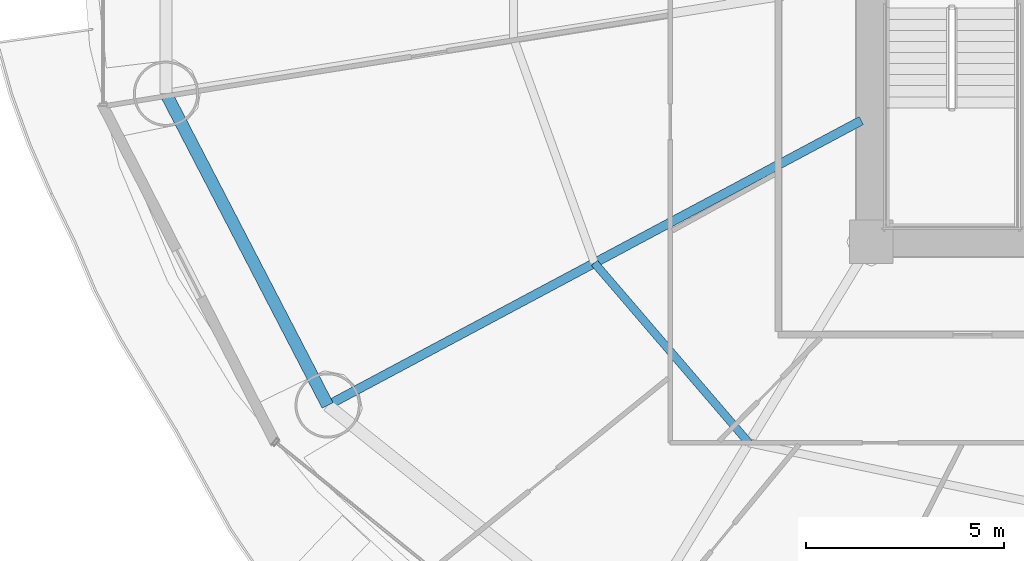
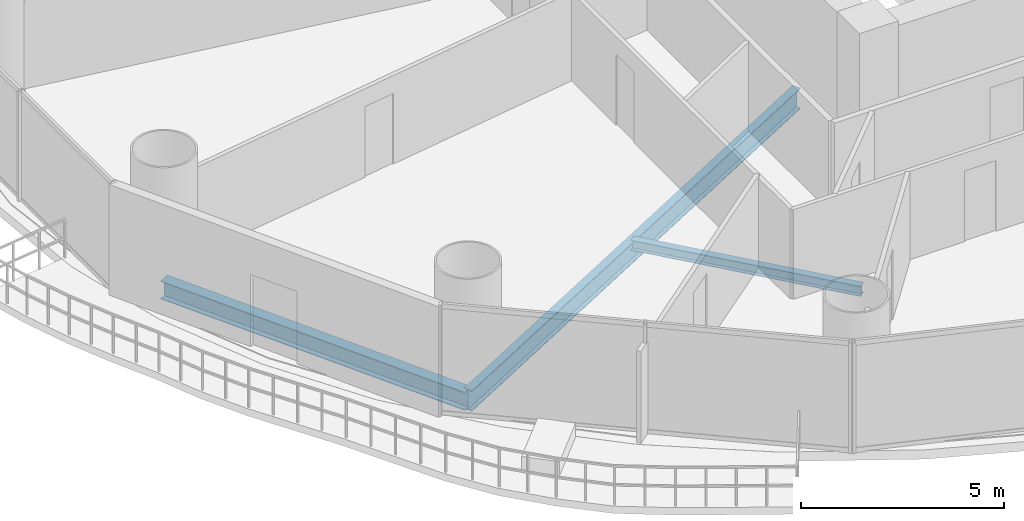
# One storey, part 3 of 30: 3 beams.
"""IFC4 building model written with IfcOpenShell, lengths in metres."""

from ifc_helpers import new_model, si_unit, direction, frame, origin, origin_2d, place, context, subcontext, project, spatial, i_section, extrude, material, material_profile, profile_set, type_object, element, save


model = new_model("IFC4")

# Units and contexts
model_context = context("Model", 3, precision=1e-05, world=origin(), true_north=direction((-0.2419218956, 0.970295726276)))
body_context = subcontext(model_context, "Body", "Model", "MODEL_VIEW")
ifc_project = project(units=[si_unit("LENGTHUNIT", "METRE"), si_unit("AREAUNIT", "SQUARE_METRE"), si_unit("VOLUMEUNIT", "CUBIC_METRE"), si_unit("PLANEANGLEUNIT", "RADIAN"), si_unit("MASSUNIT", "GRAM", prefix="KILO")], contexts=[model_context])

# Site, building, storey
site_placement = place(None, origin())
site = spatial("IfcSite", under=ifc_project, at=site_placement, CompositionType="ELEMENT")
building_placement = place(site_placement, origin())
building = spatial("IfcBuilding", under=site, at=building_placement, Name="Cobrevalo Terracotta Tower", CompositionType="ELEMENT")
storey_placement = place(building_placement, frame((0.0, 0.0, 31.199951171875)))
storey = spatial("IfcBuildingStorey", under=building, at=storey_placement, Name="L07", CompositionType="ELEMENT", Elevation=31.199951171875)

# Beams
ifc_material = material(Name="Steel S355", Category="steel")
ifc_material_profile_1 = material_profile(ifc_material, i_section(OverallWidth=0.22998046875, OverallDepth=0.616943359375, WebThickness=0.01318359375, FlangeThickness=0.022216796875, at=origin_2d()), Name="W 610x140")
ifc_profile_set_1 = profile_set([ifc_material_profile_1], Name="Steel S355")
beam_type_1 = type_object("IfcBeamType", Name="Structural Beam W 610x140 (Steel S355)", PredefinedType="BEAM", material=ifc_profile_set_1)
beam_1_placement = place(storey_placement, frame((15.25927734375, 14.660888671875, -0.58837890625), z_axis=(0.88218223571, 0.470908168329, 0.0), x_axis=(-0.470908168329, 0.88218223571, 0.0)))
element("IfcBeam", 1, at=beam_1_placement, inside=storey, type_object=beam_type_1, Name="L07 radial floor girder 10", PredefinedType="BEAM", context=body_context, shape_type="SweptSolid", body=[
    extrude(i_section(OverallWidth=0.22998046875, OverallDepth=0.616943359375, WebThickness=0.01318359375, FlangeThickness=0.022216796875, at=origin_2d()), origin(), (0.0, 0.0, 1.0), 15.286865234375),
])
ifc_material_profile_2 = material_profile(ifc_material, i_section(OverallWidth=0.2041015625, OverallDepth=0.305908203125, WebThickness=0.008544921875, FlangeThickness=0.0146484375, at=origin_2d()), Name="W 310x67")
ifc_profile_set_2 = profile_set([ifc_material_profile_2], Name="Steel S355")
beam_type_2 = type_object("IfcBeamType", Name="Structural Joist W 310x67 (Steel S355)", PredefinedType="JOIST", material=ifc_profile_set_2)
beam_2_placement = place(storey_placement, frame((22.002197265625, 18.26025390625, -0.432861328125), z_axis=(0.651328404454, -0.758795960421, 0.0), x_axis=(0.758795960421, 0.651328404454, 0.0)))
element("IfcBeam", 2, at=beam_2_placement, inside=storey, type_object=beam_type_2, Name="L07 circumferential secondary floor joist 10", PredefinedType="JOIST", context=body_context, shape_type="SweptSolid", body=[
    extrude(i_section(OverallWidth=0.2041015625, OverallDepth=0.305908203125, WebThickness=0.008544921875, FlangeThickness=0.0146484375, at=origin_2d()), origin(), (0.0, 0.0, 1.0), 5.98828125),
])
ifc_material_profile_3 = material_profile(ifc_material, i_section(OverallWidth=0.31201171875, OverallDepth=0.54296875, WebThickness=0.0126953125, FlangeThickness=0.020263671875, at=origin_2d()), Name="W 530x150")
ifc_profile_set_3 = profile_set([ifc_material_profile_3], Name="Steel S355")
beam_type_3 = type_object("IfcBeamType", Name="Structural Spandrel W 530x150 (Steel S355)", PredefinedType="SPANDREL", material=ifc_profile_set_3)
beam_3_placement = place(storey_placement, frame((11.175537109375, 22.537353515625, -0.551513671875), z_axis=(0.460285838799, -0.88777077368, 0.0), x_axis=(0.88777077368, 0.460285838799, 0.0)))
element("IfcBeam", 3, at=beam_3_placement, inside=storey, type_object=beam_type_3, Name="L07 perimeter ring spandrel 09", PredefinedType="SPANDREL", context=body_context, shape_type="SweptSolid", body=[
    extrude(i_section(OverallWidth=0.31201171875, OverallDepth=0.54296875, WebThickness=0.0126953125, FlangeThickness=0.020263671875, at=origin_2d()), origin(), (0.0, 0.0, 1.0), 8.8720703125),
])

save(model, "model.ifc")
